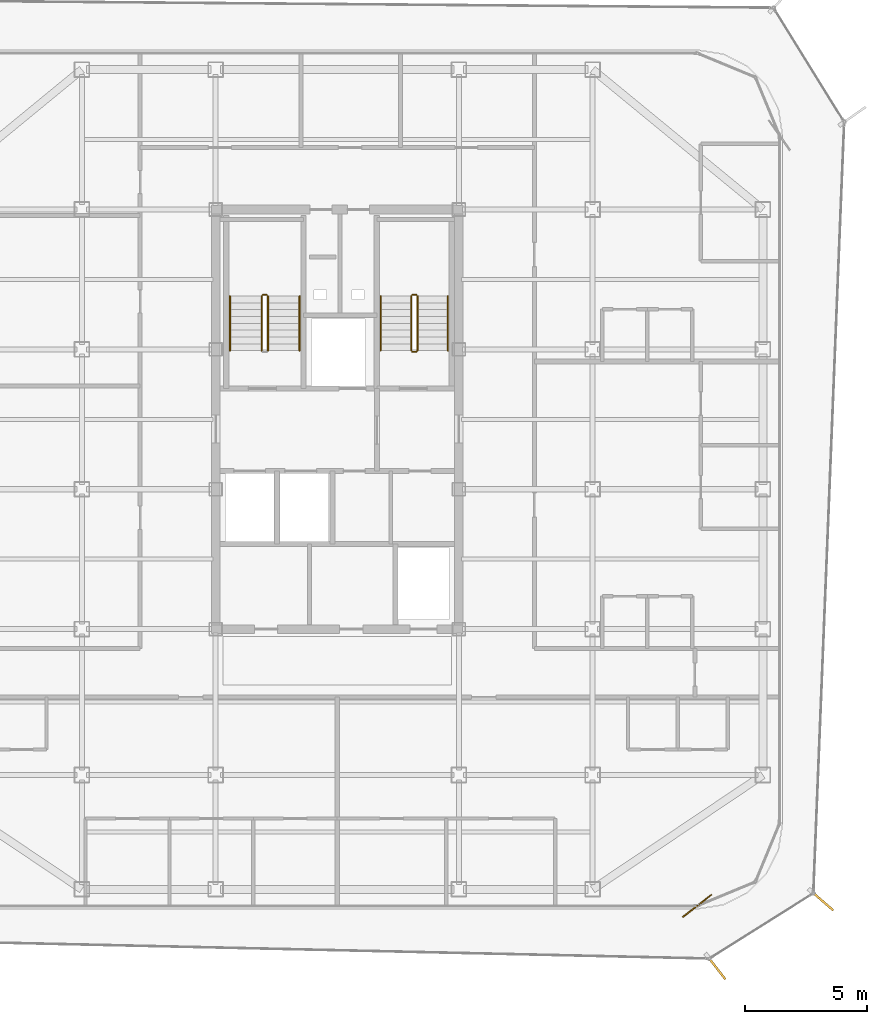
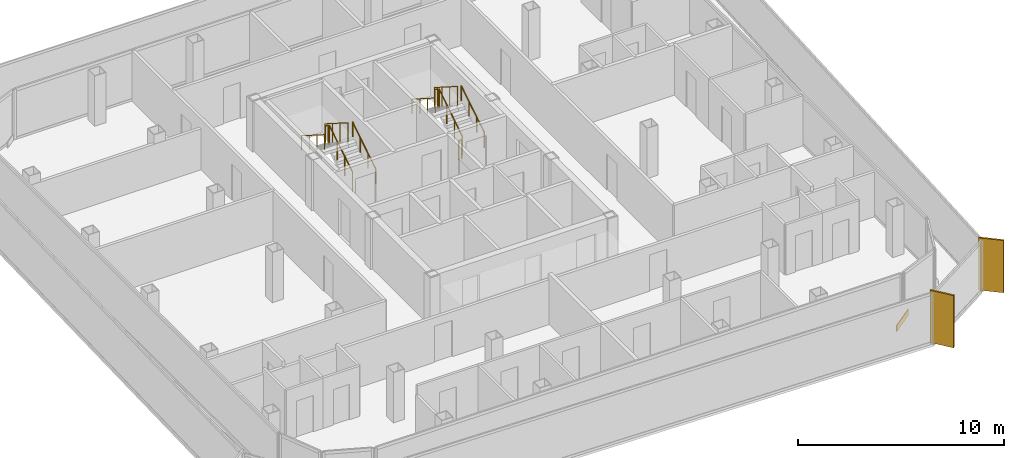
# One storey, part 14 of 15: 11 railings, 2 shading devices, 1 covering.
"""IFC4 building model written with IfcOpenShell, lengths in metres."""

from ifc_helpers import new_model, si_unit, direction, frame, origin, origin_2d, place, context, subcontext, project, spatial, rectangle, circle, extrude, source, transform, mapped, material, layer, layer_set, type_object, element, save


model = new_model("IFC4")

# Units and contexts
model_context = context("Model", 3, precision=1e-05, world=origin(), true_north=direction((0.0, 1.0)))
body_context = subcontext(model_context, "Body", "Model", "MODEL_VIEW")
ifc_project = project(units=[si_unit("LENGTHUNIT", "METRE"), si_unit("AREAUNIT", "SQUARE_METRE"), si_unit("VOLUMEUNIT", "CUBIC_METRE"), si_unit("PLANEANGLEUNIT", "RADIAN"), si_unit("MASSUNIT", "GRAM", prefix="KILO")], contexts=[model_context])

# Site, building, storey
site_placement = place(None, origin())
site = spatial("IfcSite", under=ifc_project, at=site_placement, CompositionType="ELEMENT")
building_placement = place(site_placement, origin())
building = spatial("IfcBuilding", under=site, at=building_placement, Name="Kolveth Station Tower", CompositionType="ELEMENT")
storey_placement = place(building_placement, frame((0.0, 0.0, 239.300048828125)))
storey = spatial("IfcBuildingStorey", under=building, at=storey_placement, Name="L68", CompositionType="ELEMENT", Elevation=239.300048828125)

# Railings
ifc_material_1 = material(Name="Painted Steel S355 balustrade", Category="steel")
railing_type_1 = type_object("IfcRailingType", Name="Guard_GR2", PredefinedType="BALUSTRADE", material=ifc_material_1)
railing_1_placement = place(storey_placement, frame((20.64990234375, 22.949951171875, 0.177734375)))
element("IfcRailing", 1, at=railing_1_placement, inside=storey, type_object=railing_type_1, Name="L68 ST1 stair guard 1", PredefinedType="BALUSTRADE", context=body_context, shape_type="SweptSolid", body=[
    extrude(circle(Radius=0.02392578125, at=origin_2d()), frame((0.0, 0.0, 1.1259765625), z_axis=(0.0, 0.8442293374, 0.53598211339), x_axis=(-1.0, 0.0, 0.0)), (0.0, 0.0, 1.0), 2.6533203125),
    extrude(circle(Radius=0.02099609375, at=origin_2d()), origin(), (0.0, 0.0, 1.0), 1.101806640625),
    extrude(circle(Radius=0.02099609375, at=origin_2d()), frame((0.0, 0.74658203125, 0.47412109375)), (0.0, 0.0, 1.0), 1.101806640625),
    extrude(circle(Radius=0.02099609375, at=origin_2d()), frame((0.0, 1.493408203125, 0.947998046875)), (0.0, 0.0, 1.0), 1.101806640625),
    extrude(circle(Radius=0.02099609375, at=origin_2d()), frame((0.0, 2.239990234375, 1.422119140625)), (0.0, 0.0, 1.0), 1.101806640625),
])
railing_2_placement = place(storey_placement, frame((20.60009765625, 25.239990234375, 1.599853515625)))
element("IfcRailing", 2, at=railing_2_placement, inside=storey, type_object=railing_type_1, Name="L68 ST1 stair guard 2", PredefinedType="BALUSTRADE", context=body_context, shape_type="SweptSolid", body=[
    extrude(circle(Radius=0.02392578125, at=origin_2d()), frame((0.0, 0.0, 1.1259765625), z_axis=(-1.0, 0.0, 0.0), x_axis=(0.0, -1.0, 0.0)), (0.0, 0.0, 1.0), 0.16015625),
    extrude(circle(Radius=0.02099609375, at=origin_2d()), origin(), (0.0, 0.0, 1.0), 1.101806640625),
    extrude(circle(Radius=0.02099609375, at=origin_2d()), frame((-0.16015625, 0.0, 0.0)), (0.0, 0.0, 1.0), 1.101806640625),
])
railing_3_placement = place(storey_placement, frame((20.389892578125, 25.18994140625, 1.77783203125)))
element("IfcRailing", 3, at=railing_3_placement, inside=storey, type_object=railing_type_1, Name="L68 ST1 stair guard 3", PredefinedType="BALUSTRADE", context=body_context, shape_type="SweptSolid", body=[
    extrude(circle(Radius=0.02392578125, at=origin_2d()), frame((0.0, 0.0, 1.1259765625), z_axis=(0.0, -0.8442293374, 0.53598211339), x_axis=(1.0, 0.0, 0.0)), (0.0, 0.0, 1.0), 2.6533203125),
    extrude(circle(Radius=0.02099609375, at=origin_2d()), origin(), (0.0, 0.0, 1.0), 1.101806640625),
    extrude(circle(Radius=0.02099609375, at=origin_2d()), frame((0.0, -0.74658203125, 0.47412109375)), (0.0, 0.0, 1.0), 1.101806640625),
    extrude(circle(Radius=0.02099609375, at=origin_2d()), frame((0.0, -1.493408203125, 0.947998046875)), (0.0, 0.0, 1.0), 1.101806640625),
    extrude(circle(Radius=0.02099609375, at=origin_2d()), frame((0.0, -2.239990234375, 1.422119140625)), (0.0, 0.0, 1.0), 1.101806640625),
])
railing_4_placement = place(storey_placement, frame((26.800048828125, 22.949951171875, 0.177734375)))
element("IfcRailing", 4, at=railing_4_placement, inside=storey, type_object=railing_type_1, Name="L68 ST2 stair guard 1", PredefinedType="BALUSTRADE", context=body_context, shape_type="SweptSolid", body=[
    extrude(circle(Radius=0.02392578125, at=origin_2d()), frame((0.0, 0.0, 1.1259765625), z_axis=(0.0, 0.8442293374, 0.53598211339), x_axis=(-1.0, 0.0, 0.0)), (0.0, 0.0, 1.0), 2.6533203125),
    extrude(circle(Radius=0.02099609375, at=origin_2d()), origin(), (0.0, 0.0, 1.0), 1.101806640625),
    extrude(circle(Radius=0.02099609375, at=origin_2d()), frame((0.0, 0.74658203125, 0.47412109375)), (0.0, 0.0, 1.0), 1.101806640625),
    extrude(circle(Radius=0.02099609375, at=origin_2d()), frame((0.0, 1.493408203125, 0.947998046875)), (0.0, 0.0, 1.0), 1.101806640625),
    extrude(circle(Radius=0.02099609375, at=origin_2d()), frame((0.0, 2.239990234375, 1.422119140625)), (0.0, 0.0, 1.0), 1.101806640625),
])
railing_5_placement = place(storey_placement, frame((26.75, 25.239990234375, 1.599853515625)))
element("IfcRailing", 5, at=railing_5_placement, inside=storey, type_object=railing_type_1, Name="L68 ST2 stair guard 2", PredefinedType="BALUSTRADE", context=body_context, shape_type="SweptSolid", body=[
    extrude(circle(Radius=0.02392578125, at=origin_2d()), frame((0.0, 0.0, 1.1259765625), z_axis=(-1.0, 0.0, 0.0), x_axis=(0.0, -1.0, 0.0)), (0.0, 0.0, 1.0), 0.159912109375),
    extrude(circle(Radius=0.02099609375, at=origin_2d()), origin(), (0.0, 0.0, 1.0), 1.101806640625),
    extrude(circle(Radius=0.02099609375, at=origin_2d()), frame((-0.159912109375, 0.0, 0.0)), (0.0, 0.0, 1.0), 1.101806640625),
])
railing_6_placement = place(storey_placement, frame((26.5400390625, 25.18994140625, 1.77783203125)))
element("IfcRailing", 6, at=railing_6_placement, inside=storey, type_object=railing_type_1, Name="L68 ST2 stair guard 3", PredefinedType="BALUSTRADE", context=body_context, shape_type="SweptSolid", body=[
    extrude(circle(Radius=0.02392578125, at=origin_2d()), frame((0.0, 0.0, 1.1259765625), z_axis=(0.0, -0.8442293374, 0.53598211339), x_axis=(1.0, 0.0, 0.0)), (0.0, 0.0, 1.0), 2.6533203125),
    extrude(circle(Radius=0.02099609375, at=origin_2d()), origin(), (0.0, 0.0, 1.0), 1.101806640625),
    extrude(circle(Radius=0.02099609375, at=origin_2d()), frame((0.0, -0.74658203125, 0.47412109375)), (0.0, 0.0, 1.0), 1.101806640625),
    extrude(circle(Radius=0.02099609375, at=origin_2d()), frame((0.0, -1.493408203125, 0.947998046875)), (0.0, 0.0, 1.0), 1.101806640625),
    extrude(circle(Radius=0.02099609375, at=origin_2d()), frame((0.0, -2.239990234375, 1.422119140625)), (0.0, 0.0, 1.0), 1.101806640625),
])
railing_7_placement = place(storey_placement, frame((26.75, 22.89990234375, 0.0)))
element("IfcRailing", 7, at=railing_7_placement, inside=storey, type_object=railing_type_1, Name="L68 ST2 stair guard 4", PredefinedType="BALUSTRADE", context=body_context, shape_type="SweptSolid", body=[
    extrude(circle(Radius=0.02392578125, at=origin_2d()), frame((0.0, 0.0, 1.1259765625), z_axis=(-1.0, 0.0, 0.0), x_axis=(0.0, -1.0, 0.0)), (0.0, 0.0, 1.0), 0.159912109375),
    extrude(circle(Radius=0.02099609375, at=origin_2d()), origin(), (0.0, 0.0, 1.0), 1.101806640625),
    extrude(circle(Radius=0.02099609375, at=origin_2d()), frame((-0.159912109375, 0.0, 0.0)), (0.0, 0.0, 1.0), 1.101806640625),
])
ifc_material_2 = material(Name="Brushed stainless steel", Category="steel")
railing_type_2 = type_object("IfcRailingType", Name="Handrail_HR1", PredefinedType="HANDRAIL", material=ifc_material_2)
railing_8_placement = place(storey_placement, frame((21.949951171875, 22.949951171875, 0.177734375)))
element("IfcRailing", 8, at=railing_8_placement, inside=storey, type_object=railing_type_2, Name="L68 ST1 stair handrail 1", PredefinedType="HANDRAIL", context=body_context, shape_type="SweptSolid", body=[
    extrude(circle(Radius=0.02392578125, at=origin_2d()), frame((0.0, 0.0, 0.8759765625), z_axis=(0.0, 0.8442293374, 0.53598211339), x_axis=(-1.0, 0.0, 0.0)), (0.0, 0.0, 1.0), 2.6533203125),
    extrude(circle(Radius=0.02099609375, at=origin_2d()), origin(), (0.0, 0.0, 1.0), 0.851806640625),
    extrude(circle(Radius=0.02099609375, at=origin_2d()), frame((0.0, 0.74658203125, 0.47412109375)), (0.0, 0.0, 1.0), 0.851806640625),
    extrude(circle(Radius=0.02099609375, at=origin_2d()), frame((0.0, 1.493408203125, 0.947998046875)), (0.0, 0.0, 1.0), 0.851806640625),
    extrude(circle(Radius=0.02099609375, at=origin_2d()), frame((0.0, 2.239990234375, 1.422119140625)), (0.0, 0.0, 1.0), 0.851806640625),
])
railing_9_placement = place(storey_placement, frame((19.090087890625, 25.18994140625, 1.77783203125)))
element("IfcRailing", 9, at=railing_9_placement, inside=storey, type_object=railing_type_2, Name="L68 ST1 stair handrail 2", PredefinedType="HANDRAIL", context=body_context, shape_type="SweptSolid", body=[
    extrude(circle(Radius=0.02392578125, at=origin_2d()), frame((0.0, 0.0, 0.8759765625), z_axis=(0.0, -0.8442293374, 0.53598211339), x_axis=(1.0, 0.0, 0.0)), (0.0, 0.0, 1.0), 2.6533203125),
    extrude(circle(Radius=0.02099609375, at=origin_2d()), origin(), (0.0, 0.0, 1.0), 0.851806640625),
    extrude(circle(Radius=0.02099609375, at=origin_2d()), frame((0.0, -0.74658203125, 0.47412109375)), (0.0, 0.0, 1.0), 0.851806640625),
    extrude(circle(Radius=0.02099609375, at=origin_2d()), frame((0.0, -1.493408203125, 0.947998046875)), (0.0, 0.0, 1.0), 0.851806640625),
    extrude(circle(Radius=0.02099609375, at=origin_2d()), frame((0.0, -2.239990234375, 1.422119140625)), (0.0, 0.0, 1.0), 0.851806640625),
])
railing_10_placement = place(storey_placement, frame((28.050048828125, 22.949951171875, 0.177734375)))
element("IfcRailing", 10, at=railing_10_placement, inside=storey, type_object=railing_type_2, Name="L68 ST2 stair handrail 1", PredefinedType="HANDRAIL", context=body_context, shape_type="SweptSolid", body=[
    extrude(circle(Radius=0.02392578125, at=origin_2d()), frame((0.0, 0.0, 0.8759765625), z_axis=(0.0, 0.8442293374, 0.53598211339), x_axis=(-1.0, 0.0, 0.0)), (0.0, 0.0, 1.0), 2.6533203125),
    extrude(circle(Radius=0.02099609375, at=origin_2d()), origin(), (0.0, 0.0, 1.0), 0.851806640625),
    extrude(circle(Radius=0.02099609375, at=origin_2d()), frame((0.0, 0.74658203125, 0.47412109375)), (0.0, 0.0, 1.0), 0.851806640625),
    extrude(circle(Radius=0.02099609375, at=origin_2d()), frame((0.0, 1.493408203125, 0.947998046875)), (0.0, 0.0, 1.0), 0.851806640625),
    extrude(circle(Radius=0.02099609375, at=origin_2d()), frame((0.0, 2.239990234375, 1.422119140625)), (0.0, 0.0, 1.0), 0.851806640625),
])
railing_11_placement = place(storey_placement, frame((25.2900390625, 25.18994140625, 1.77783203125)))
element("IfcRailing", 11, at=railing_11_placement, inside=storey, type_object=railing_type_2, Name="L68 ST2 stair handrail 2", PredefinedType="HANDRAIL", context=body_context, shape_type="SweptSolid", body=[
    extrude(circle(Radius=0.02392578125, at=origin_2d()), frame((0.0, 0.0, 0.8759765625), z_axis=(0.0, -0.8442293374, 0.53598211339), x_axis=(1.0, 0.0, 0.0)), (0.0, 0.0, 1.0), 2.6533203125),
    extrude(circle(Radius=0.02099609375, at=origin_2d()), origin(), (0.0, 0.0, 1.0), 0.851806640625),
    extrude(circle(Radius=0.02099609375, at=origin_2d()), frame((0.0, -0.74658203125, 0.47412109375)), (0.0, 0.0, 1.0), 0.851806640625),
    extrude(circle(Radius=0.02099609375, at=origin_2d()), frame((0.0, -1.493408203125, 0.947998046875)), (0.0, 0.0, 1.0), 0.851806640625),
    extrude(circle(Radius=0.02099609375, at=origin_2d()), frame((0.0, -2.239990234375, 1.422119140625)), (0.0, 0.0, 1.0), 0.851806640625),
])

# Shading devices
ifc_material_3 = material(Name="Black anodized aluminium 6063-T6", Category="aluminium")
shading_device_type = type_object("IfcShadingDeviceType", Name="FIN_VF1", PredefinedType="USERDEFINED", material=ifc_material_3)
shared_shape_1 = source(origin(), body_context, "Body", "SweptSolid", [
    extrude(rectangle(XDim=1.25, YDim=0.090087890625, at=origin_2d()), origin(), (0.0, 0.0, 1.0), 3.10009765625),
])
for number, where, z_axis, x_axis, name in (
    (12, (39.074951171875, -2.406982421875, 0.0), (0.0, 0.0, 1.0), (0.613320693815, -0.789833986695, 0.0), "L68 Dark-Aluminium Solar Fin 1"),
    (13, (43.4189453125, 0.345947265625, 0.0), (0.0, 0.0, 1.0), (0.754938542041, -0.655795545685, 0.0), "L68 Dark-Aluminium Solar Fin 2"),
):
    element("IfcShadingDevice", number, at=place(storey_placement, frame(where, z_axis=z_axis, x_axis=x_axis)), inside=storey, type_object=shading_device_type, Name=name, ObjectType="FIN", PredefinedType="USERDEFINED", context=body_context, shape_type="MappedRepresentation", body=[
        mapped(shared_shape_1, transform((0.0, 0.0, 0.0), x_axis=(1.0, 0.0, 0.0), y_axis=(0.0, 1.0, 0.0), z_axis=(0.0, 0.0, 1.0), scale=1.0)),
    ])

# Covering
ifc_material_4 = material(Name="Charcoal anodized aluminium spandrel cladding", Category="aluminium")
ifc_layer = layer(ifc_material_4, 0.044921875)
ifc_layer_set = layer_set([ifc_layer], Name="Charcoal anodized aluminium spandrel cladding")
covering_type = type_object("IfcCoveringType", Name="Clad_CD1", PredefinedType="CLADDING", material=ifc_layer_set)
shared_shape_2 = source(origin(), body_context, "Body", "SweptSolid", [
    extrude(rectangle(XDim=1.5, YDim=0.044921875, at=origin_2d()), origin(), (0.0, 0.0, 1.0), 0.360107421875),
])
covering_placement = place(storey_placement, frame((38.300048828125, 0.1201171875, 0.0), z_axis=(0.0, 0.0, 1.0), x_axis=(0.789833986695, 0.613320693815, 0.0)))
element("IfcCovering", 14, at=covering_placement, inside=storey, type_object=covering_type, Name="L68 Spandrel Edge Cladding 1", PredefinedType="CLADDING", context=body_context, shape_type="MappedRepresentation", body=[
    mapped(shared_shape_2, transform((0.0, 0.0, 0.0), x_axis=(1.0, 0.0, 0.0), y_axis=(0.0, 1.0, 0.0), z_axis=(0.0, 0.0, 1.0), scale=1.0)),
])

save(model, "model.ifc")
